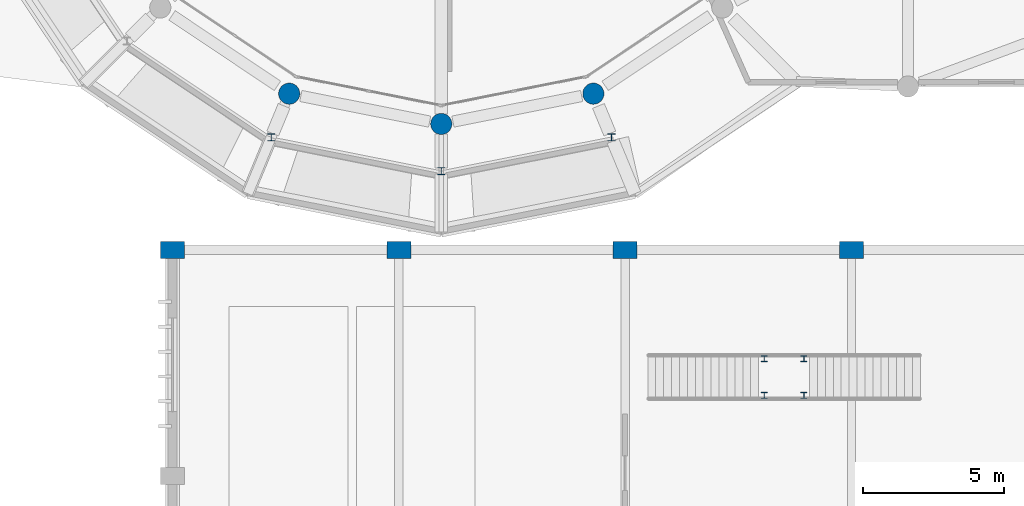
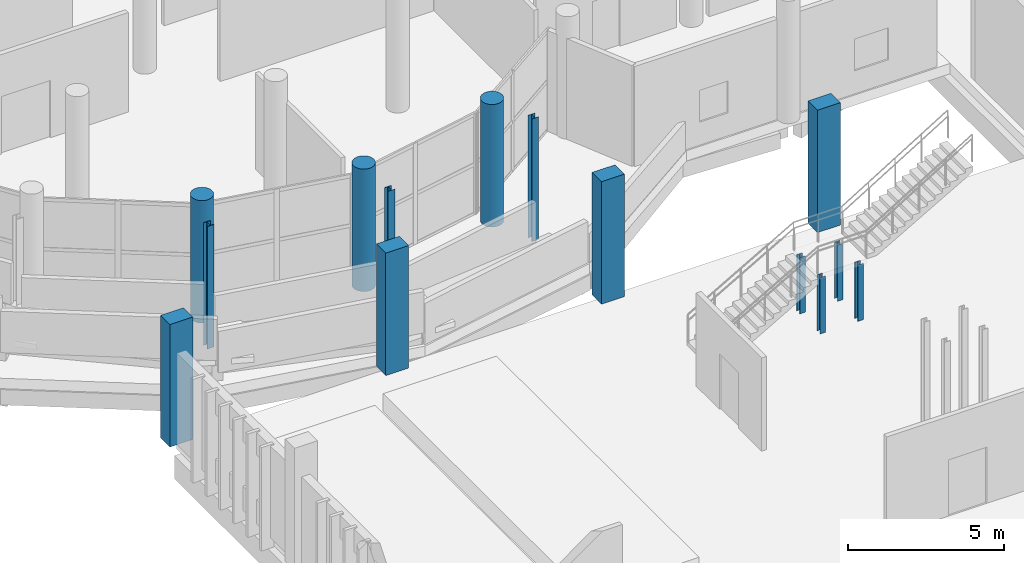
# One storey, part 2 of 117: 14 columns.
"""IFC4 building model written with IfcOpenShell, lengths in metres."""

from ifc_helpers import new_model, si_unit, direction, frame, origin, origin_2d, place, context, subcontext, project, spatial, rectangle, circle, i_section, extrude, material, material_profile, profile_set, type_object, element, save


model = new_model("IFC4")

# Units and contexts
model_context = context("Model", 3, precision=1e-05, world=origin(), true_north=direction((0.0, 1.0)))
body_context = subcontext(model_context, "Body", "Model", "MODEL_VIEW")
ifc_project = project(units=[si_unit("LENGTHUNIT", "METRE"), si_unit("AREAUNIT", "SQUARE_METRE"), si_unit("VOLUMEUNIT", "CUBIC_METRE"), si_unit("PLANEANGLEUNIT", "RADIAN"), si_unit("MASSUNIT", "GRAM", prefix="KILO")], contexts=[model_context])

# Site, building, storey
site_placement = place(None, origin())
site = spatial("IfcSite", under=ifc_project, at=site_placement, CompositionType="ELEMENT")
building_placement = place(site_placement, origin())
building = spatial("IfcBuilding", under=site, at=building_placement, Name="Jelvoka-Kovrelna Polytechnic", CompositionType="ELEMENT")
storey_placement = place(building_placement, origin())
storey = spatial("IfcBuildingStorey", under=building, at=storey_placement, Name="L01", CompositionType="ELEMENT", Elevation=0.0)

# Columns
ifc_material_1 = material(Name="Concrete C40/50", Category="concrete")
ifc_material_profile_1 = material_profile(ifc_material_1, rectangle(XDim=0.60009765625, YDim=0.85009765625, at=origin_2d()), Name="RC 600x850")
ifc_profile_set_1 = profile_set([ifc_material_profile_1], Name="Concrete C40/50")
column_type_1 = type_object("IfcColumnType", Name="Col_RC_600x850", PredefinedType="COLUMN", material=ifc_profile_set_1)
for number, where, z_axis, x_axis, name in (
    (1, (16.0, 24.0, 0.0), (0.0, 0.0, 1.0), (0.0, 1.0, 0.0), "L01 column 0296"),
    (2, (24.0, 24.0, 0.0), (0.0, 0.0, 1.0), (0.0, 1.0, 0.0), "L01 column 0300"),
    (3, (32.0, 24.0, 0.0), (0.0, 0.0, 1.0), (0.0, 1.0, 0.0), "L01 column 0304"),
    (4, (40.0, 24.0, 0.0), (0.0, 0.0, 1.0), (0.0, 1.0, 0.0), "L01 column 0308"),
):
    element("IfcColumn", number, at=place(storey_placement, frame(where, z_axis=z_axis, x_axis=x_axis)), inside=storey, type_object=column_type_1, Name=name, PredefinedType="COLUMN", context=body_context, shape_type="SweptSolid", body=[
        extrude(rectangle(XDim=0.60009765625, YDim=0.85009765625, at=origin_2d()), origin(), (0.0, 0.0, 1.0), 4.800048828125),
    ])
ifc_material_2 = material(Name="Concrete C40/50", Category="concrete")
ifc_material_profile_2 = material_profile(ifc_material_2, circle(Radius=0.375, at=origin_2d()), Name="RC D750")
ifc_profile_set_2 = profile_set([ifc_material_profile_2], Name="Concrete C40/50")
column_type_2 = type_object("IfcColumnType", Name="Col_RC_D750", PredefinedType="COLUMN", material=ifc_profile_set_2)
for number, where, z_axis, x_axis, name in (
    (5, (25.5, 28.449951171875, 0.0), (0.0, 0.0, 1.0), (1.0, 0.0, 0.0), "L01 column 0409"),
    (6, (20.123291015625, 29.51953125, 0.0), (0.0, 0.0, 1.0), (1.0, 0.0, 0.0), "L01 column 0415"),
    (7, (30.876708984375, 29.51953125, 0.0), (0.0, 0.0, 1.0), (1.0, 0.0, 0.0), "L01 column 0421"),
):
    element("IfcColumn", number, at=place(storey_placement, frame(where, z_axis=z_axis, x_axis=x_axis)), inside=storey, type_object=column_type_2, Name=name, PredefinedType="COLUMN", context=body_context, shape_type="SweptSolid", body=[
        extrude(circle(Radius=0.375, at=origin_2d()), origin(), (0.0, 0.0, 1.0), 4.800048828125),
    ])
ifc_material_3 = material(Name="Structural steel S355JR", Category="steel")
ifc_material_profile_3 = material_profile(ifc_material_3, i_section(OverallWidth=0.205810546875, OverallDepth=0.209716796875, WebThickness=0.009521484375, FlangeThickness=0.01416015625, FilletRadius=0.01025390625, at=origin_2d()), Name="203x203x60 UC")
ifc_profile_set_3 = profile_set([ifc_material_profile_3], Name="Structural steel S355JR")
column_type_3 = type_object("IfcColumnType", Name="Col_Steel_UC203", PredefinedType="COLUMN", material=ifc_profile_set_3)
for number, where, z_axis, x_axis, name in (
    (8, (36.919921875, 18.85009765625, 0.0), (0.0, 0.0, 1.0), (1.0, 0.0, 0.0), "L01 feature stair landing post 1698"),
    (9, (36.919921875, 20.14990234375, 0.0), (0.0, 0.0, 1.0), (1.0, 0.0, 0.0), "L01 feature stair landing post 1699"),
    (10, (38.320068359375, 18.85009765625, 0.0), (0.0, 0.0, 1.0), (1.0, 0.0, 0.0), "L01 feature stair landing post 1700"),
    (11, (38.320068359375, 20.14990234375, 0.0), (0.0, 0.0, 1.0), (1.0, 0.0, 0.0), "L01 feature stair landing post 1701"),
):
    element("IfcColumn", number, at=place(storey_placement, frame(where, z_axis=z_axis, x_axis=x_axis)), inside=storey, type_object=column_type_3, Name=name, PredefinedType="COLUMN", context=body_context, shape_type="SweptSolid", body=[
        extrude(i_section(OverallWidth=0.205810546875, OverallDepth=0.209716796875, WebThickness=0.009521484375, FlangeThickness=0.01416015625, FilletRadius=0.01025390625, at=origin_2d()), origin(), (0.0, 0.0, 1.0), 2.199951171875),
    ])
ifc_material_4 = material(Name="Structural steel S355JR", Category="steel")
ifc_material_profile_4 = material_profile(ifc_material_4, i_section(OverallWidth=0.254638671875, OverallDepth=0.254150390625, WebThickness=0.008544921875, FlangeThickness=0.01416015625, FilletRadius=0.0126953125, at=origin_2d()), Name="254x254x73 UC")
ifc_profile_set_4 = profile_set([ifc_material_profile_4], Name="Structural steel S355JR")
column_type_4 = type_object("IfcColumnType", Name="Col_Steel_UC254", PredefinedType="COLUMN", material=ifc_profile_set_4)
for number, where, z_axis, x_axis, name in (
    (12, (19.484130859375, 27.9765625, 0.0), (0.0, 0.0, 1.0), (1.0, 0.0, 0.0), "L01 recessed rotunda gallery post 1771"),
    (13, (25.5, 26.780029296875, 0.0), (0.0, 0.0, 1.0), (1.0, 0.0, 0.0), "L01 recessed rotunda gallery post 1777"),
    (14, (31.515869140625, 27.9765625, 0.0), (0.0, 0.0, 1.0), (1.0, 0.0, 0.0), "L01 recessed rotunda gallery post 1783"),
):
    element("IfcColumn", number, at=place(storey_placement, frame(where, z_axis=z_axis, x_axis=x_axis)), inside=storey, type_object=column_type_4, Name=name, PredefinedType="COLUMN", context=body_context, shape_type="SweptSolid", body=[
        extrude(i_section(OverallWidth=0.254638671875, OverallDepth=0.254150390625, WebThickness=0.008544921875, FlangeThickness=0.01416015625, FilletRadius=0.0126953125, at=origin_2d()), origin(), (0.0, 0.0, 1.0), 4.800048828125),
    ])

save(model, "model.ifc")
